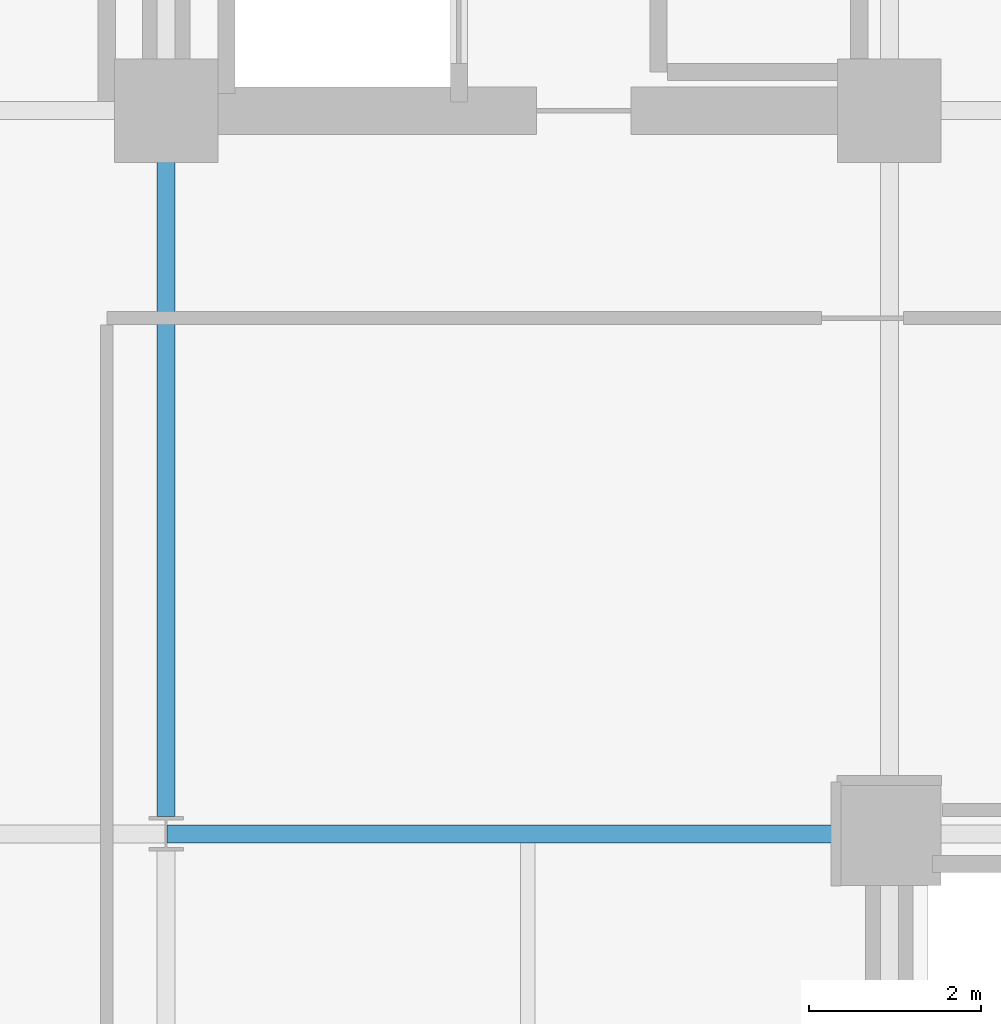
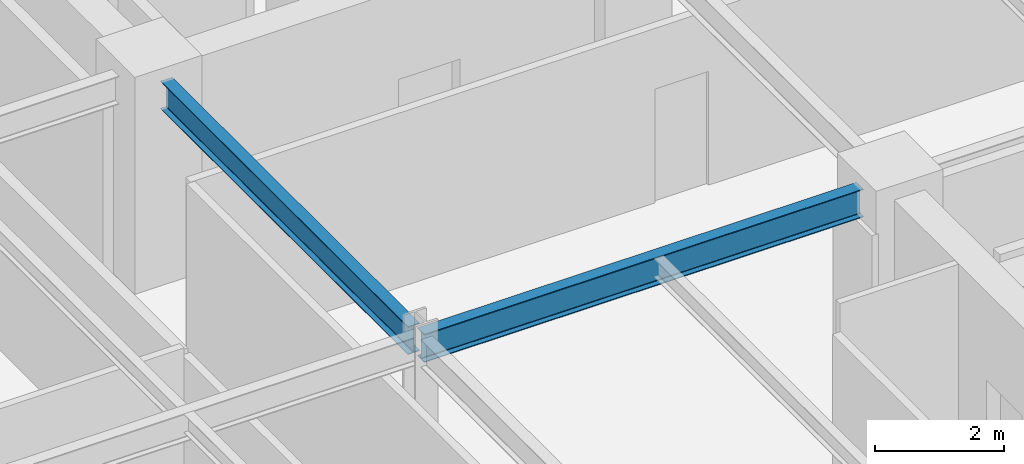
# One storey, part 9 of 29: 2 beams.
"""IFC4 building model written with IfcOpenShell, lengths in metres."""

from ifc_helpers import new_model, si_unit, direction, frame, origin, origin_2d, place, context, subcontext, project, spatial, i_section, extrude, material, material_profile, profile_set, type_object, element, save


model = new_model("IFC4")

# Units and contexts
model_context = context("Model", 3, precision=1e-05, world=origin(), true_north=direction((0.0, 1.0)))
body_context = subcontext(model_context, "Body", "Model", "MODEL_VIEW")
ifc_project = project(units=[si_unit("LENGTHUNIT", "METRE"), si_unit("AREAUNIT", "SQUARE_METRE"), si_unit("VOLUMEUNIT", "CUBIC_METRE"), si_unit("PLANEANGLEUNIT", "RADIAN"), si_unit("MASSUNIT", "GRAM", prefix="KILO")], contexts=[model_context])

# Site, building, storey
site_placement = place(None, origin())
site = spatial("IfcSite", under=ifc_project, at=site_placement, CompositionType="ELEMENT")
building_placement = place(site_placement, origin())
building = spatial("IfcBuilding", under=site, at=building_placement, Name="Nerrivon Quay Data Exchange", CompositionType="ELEMENT")
storey_placement = place(building_placement, frame((0.0, 0.0, 125.39990234375)))
storey = spatial("IfcBuildingStorey", under=building, at=storey_placement, Name="L29", CompositionType="ELEMENT", Elevation=125.39990234375)

# Beams
ifc_material = material(Name="Steel Grade 350", Category="steel")
ifc_material_profile_1 = material_profile(ifc_material, i_section(OverallWidth=0.208984375, OverallDepth=0.532958984375, WebThickness=0.01025390625, FlangeThickness=0.015625, FilletRadius=0.013916015625, at=origin_2d()), Name="530UB92.4")
ifc_profile_set_1 = profile_set([ifc_material_profile_1], Name="Steel Grade 350")
beam_type_1 = type_object("IfcBeamType", Name="BM-G3-530UB92", PredefinedType="BEAM", material=ifc_profile_set_1)
beam_1_placement = place(storey_placement, frame((8.41259765625, 16.800048828125, 3.55859375), z_axis=(1.0, 0.0, 0.0), x_axis=(0.0, 1.0, 0.0)))
element("IfcBeam", 1, at=beam_1_placement, inside=storey, type_object=beam_type_1, Name="L29 EW Girder Y=16.8 (8.4..16.8)", PredefinedType="BEAM", context=body_context, shape_type="SweptSolid", body=[
    extrude(i_section(OverallWidth=0.208984375, OverallDepth=0.532958984375, WebThickness=0.01025390625, FlangeThickness=0.015625, FilletRadius=0.013916015625, at=origin_2d()), origin(), (0.0, 0.0, 1.0), 7.847412109375),
])
ifc_material_profile_2 = material_profile(ifc_material, i_section(OverallWidth=0.208984375, OverallDepth=0.528076171875, WebThickness=0.009521484375, FlangeThickness=0.01318359375, FilletRadius=0.013916015625, at=origin_2d()), Name="530UB82.0")
ifc_profile_set_2 = profile_set([ifc_material_profile_2], Name="Steel Grade 350")
beam_type_2 = type_object("IfcBeamType", Name="BM-G4-530UB82", PredefinedType="BEAM", material=ifc_profile_set_2)
beam_2_placement = place(storey_placement, frame((8.39990234375, 17.0, 3.56103515625), z_axis=(0.0, 1.0, 0.0), x_axis=(-1.0, 0.0, 0.0)))
element("IfcBeam", 2, at=beam_2_placement, inside=storey, type_object=beam_type_2, Name="L29 NS Girder X=8.4 (16.8..25.2)", PredefinedType="BEAM", context=body_context, shape_type="SweptSolid", body=[
    extrude(i_section(OverallWidth=0.208984375, OverallDepth=0.528076171875, WebThickness=0.009521484375, FlangeThickness=0.01318359375, FilletRadius=0.013916015625, at=origin_2d()), origin(), (0.0, 0.0, 1.0), 7.659912109375),
])

save(model, "model.ifc")
